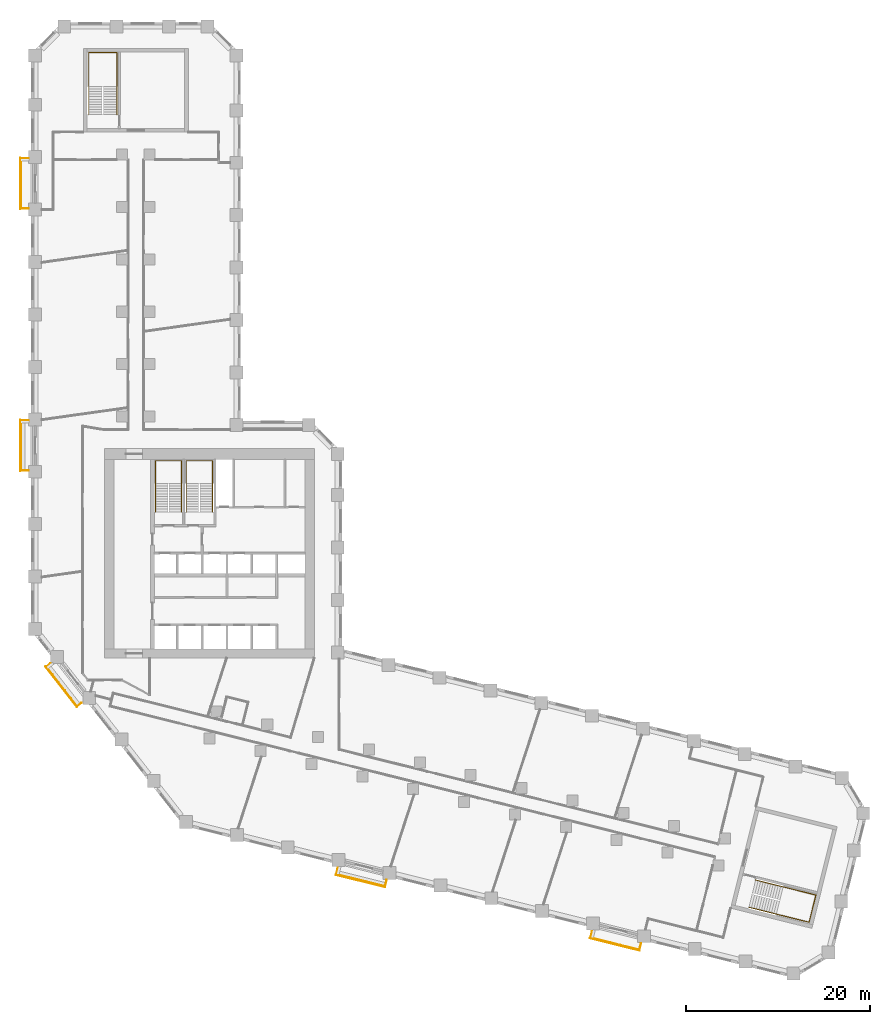
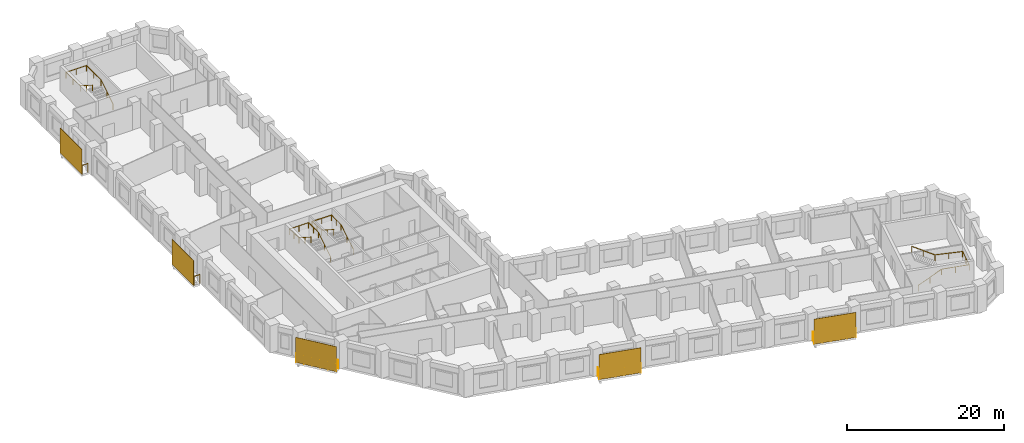
# One storey, part 12 of 12: 9 railings, 5 shading devices.
"""IFC4 building model written with IfcOpenShell, lengths in metres."""

from ifc_helpers import new_model, si_unit, direction, frame, origin, origin_2d, place, context, subcontext, project, spatial, rectangle, circle, extrude, material, layer, layer_set, type_object, element, save


model = new_model("IFC4")

# Units and contexts
model_context = context("Model", 3, precision=1e-05, world=origin(), true_north=direction((0.0, 1.0)))
body_context = subcontext(model_context, "Body", "Model", "MODEL_VIEW")
ifc_project = project(units=[si_unit("LENGTHUNIT", "METRE"), si_unit("AREAUNIT", "SQUARE_METRE"), si_unit("VOLUMEUNIT", "CUBIC_METRE"), si_unit("PLANEANGLEUNIT", "RADIAN"), si_unit("MASSUNIT", "GRAM", prefix="KILO")], contexts=[model_context])

# Site, building, storey
site_placement = place(None, origin())
site = spatial("IfcSite", under=ifc_project, at=site_placement, CompositionType="ELEMENT")
building_placement = place(site_placement, origin())
building = spatial("IfcBuilding", under=site, at=building_placement, Name="Meshkara Civic Tower", CompositionType="ELEMENT")
storey_placement = place(building_placement, frame((0.0, 0.0, 58.199951171875)))
storey = spatial("IfcBuildingStorey", under=building, at=storey_placement, Name="L12", CompositionType="ELEMENT", Elevation=58.199951171875)

# Railings
ifc_material_1 = material(Name="Steel S355", Category="steel")
railing_type_1 = type_object("IfcRailingType", Name="BALUSTRADE GUARD 1400", PredefinedType="BALUSTRADE", material=ifc_material_1)
for number, where, name in (
    (1, (-0.25, 68.43505859375, 0.0), "Balcony guard"),
    (2, (-0.25, 39.93505859375, 0.0), "Balcony guard"),
):
    element("IfcRailing", number, at=place(storey_placement, frame(where)), inside=storey, type_object=railing_type_1, Name=name, PredefinedType="BALUSTRADE", context=body_context, shape_type="SweptSolid", body=[
        extrude(circle(Radius=0.02392578125, at=origin_2d()), frame((0.0, 0.0, 1.3759765625), z_axis=(-1.0, 0.0, 0.0), x_axis=(0.0, -1.0, 0.0)), (0.0, 0.0, 1.0), 0.860107421875),
        extrude(circle(Radius=0.02392578125, at=origin_2d()), frame((-0.860107421875, 0.0, 1.3759765625), z_axis=(0.0, -1.0, 0.0), x_axis=(1.0, 0.0, 0.0)), (0.0, 0.0, 1.0), 5.4599609375),
        extrude(circle(Radius=0.02392578125, at=origin_2d()), frame((-0.860107421875, -5.4599609375, 1.3759765625), z_axis=(1.0, 0.0, 0.0), x_axis=(0.0, 1.0, 0.0)), (0.0, 0.0, 1.0), 0.860107421875),
        extrude(circle(Radius=0.02099609375, at=origin_2d()), origin(), (0.0, 0.0, 1.0), 1.351806640625),
        extrude(circle(Radius=0.02099609375, at=origin_2d()), frame((-0.860107421875, 0.0, 0.0)), (0.0, 0.0, 1.0), 1.351806640625),
        extrude(circle(Radius=0.02099609375, at=origin_2d()), frame((-0.860107421875, -1.092041015625, 0.0)), (0.0, 0.0, 1.0), 1.351806640625),
        extrude(circle(Radius=0.02099609375, at=origin_2d()), frame((-0.860107421875, -2.18408203125, 0.0)), (0.0, 0.0, 1.0), 1.351806640625),
        extrude(circle(Radius=0.02099609375, at=origin_2d()), frame((-0.860107421875, -3.27587890625, 0.0)), (0.0, 0.0, 1.0), 1.351806640625),
        extrude(circle(Radius=0.02099609375, at=origin_2d()), frame((-0.860107421875, -4.367919921875, 0.0)), (0.0, 0.0, 1.0), 1.351806640625),
        extrude(circle(Radius=0.02099609375, at=origin_2d()), frame((-0.860107421875, -5.4599609375, 0.0)), (0.0, 0.0, 1.0), 1.351806640625),
        extrude(circle(Radius=0.02099609375, at=origin_2d()), frame((0.0, -5.4599609375, 0.0)), (0.0, 0.0, 1.0), 1.351806640625),
    ])
railing_1_placement = place(storey_placement, frame((2.114013671875, 13.530029296875, 0.0)))
element("IfcRailing", 3, at=railing_1_placement, inside=storey, type_object=railing_type_1, Name="Balcony guard", PredefinedType="BALUSTRADE", context=body_context, shape_type="SweptSolid", body=[
    extrude(circle(Radius=0.02392578125, at=origin_2d()), frame((0.0, 0.0, 1.3759765625), z_axis=(-0.787665480528, -0.616103149469, 0.0), x_axis=(0.616103149469, -0.787665480528, 0.0)), (0.0, 0.0, 1.0), 0.57763671875),
    extrude(circle(Radius=0.02392578125, at=origin_2d()), frame((-0.455078125, -0.35595703125, 1.3759765625), z_axis=(0.615573755741, -0.788079279795, 0.0), x_axis=(0.788079279795, 0.615573755741, 0.0)), (0.0, 0.0, 1.0), 5.460205078125),
    extrude(circle(Radius=0.02392578125, at=origin_2d()), frame((2.906005859375, -4.658935546875, 1.3759765625), z_axis=(0.787665480528, 0.616103149469, 0.0), x_axis=(-0.616103149469, 0.787665480528, 0.0)), (0.0, 0.0, 1.0), 0.57763671875),
    extrude(circle(Radius=0.02099609375, at=origin_2d()), origin(), (0.0, 0.0, 1.0), 1.351806640625),
    extrude(circle(Radius=0.02099609375, at=origin_2d()), frame((-0.455078125, -0.35595703125, 0.0)), (0.0, 0.0, 1.0), 1.351806640625),
    extrude(circle(Radius=0.02099609375, at=origin_2d()), frame((0.217041015625, -1.216552734375, 0.0)), (0.0, 0.0, 1.0), 1.351806640625),
    extrude(circle(Radius=0.02099609375, at=origin_2d()), frame((0.889404296875, -2.0771484375, 0.0)), (0.0, 0.0, 1.0), 1.351806640625),
    extrude(circle(Radius=0.02099609375, at=origin_2d()), frame((1.5615234375, -2.937744140625, 0.0)), (0.0, 0.0, 1.0), 1.351806640625),
    extrude(circle(Radius=0.02099609375, at=origin_2d()), frame((2.23388671875, -3.79833984375, 0.0)), (0.0, 0.0, 1.0), 1.351806640625),
    extrude(circle(Radius=0.02099609375, at=origin_2d()), frame((2.906005859375, -4.658935546875, 0.0)), (0.0, 0.0, 1.0), 1.351806640625),
    extrude(circle(Radius=0.02099609375, at=origin_2d()), frame((3.361083984375, -4.302978515625, 0.0)), (0.0, 0.0, 1.0), 1.351806640625),
])
railing_2_placement = place(storey_placement, frame((33.35400390625, -8.72705078125, 0.0)))
element("IfcRailing", 4, at=railing_2_placement, inside=storey, type_object=railing_type_1, Name="Balcony guard", PredefinedType="BALUSTRADE", context=body_context, shape_type="SweptSolid", body=[
    extrude(circle(Radius=0.02392578125, at=origin_2d()), frame((0.0, 0.0, 1.3759765625), z_axis=(-0.242050887106, -0.970263555974, 0.0), x_axis=(0.970263555974, -0.242050887106, 0.0)), (0.0, 0.0, 1.0), 0.711181640625),
    extrude(circle(Radius=0.02392578125, at=origin_2d()), frame((-0.172119140625, -0.68994140625, 1.3759765625), z_axis=(0.970292231073, -0.24193591366, 0.0), x_axis=(0.24193591366, 0.970292231073, 0.0)), (0.0, 0.0, 1.0), 5.460205078125),
    extrude(circle(Radius=0.02392578125, at=origin_2d()), frame((5.1259765625, -2.010986328125, 1.3759765625), z_axis=(0.242050887106, 0.970263555974, 0.0), x_axis=(-0.970263555974, 0.242050887106, 0.0)), (0.0, 0.0, 1.0), 0.711181640625),
    extrude(circle(Radius=0.02099609375, at=origin_2d()), origin(), (0.0, 0.0, 1.0), 1.351806640625),
    extrude(circle(Radius=0.02099609375, at=origin_2d()), frame((-0.172119140625, -0.68994140625, 0.0)), (0.0, 0.0, 1.0), 1.351806640625),
    extrude(circle(Radius=0.02099609375, at=origin_2d()), frame((0.887451171875, -0.9541015625, 0.0)), (0.0, 0.0, 1.0), 1.351806640625),
    extrude(circle(Radius=0.02099609375, at=origin_2d()), frame((1.947021484375, -1.21826171875, 0.0)), (0.0, 0.0, 1.0), 1.351806640625),
    extrude(circle(Radius=0.02099609375, at=origin_2d()), frame((3.0068359375, -1.482666015625, 0.0)), (0.0, 0.0, 1.0), 1.351806640625),
    extrude(circle(Radius=0.02099609375, at=origin_2d()), frame((4.06640625, -1.746826171875, 0.0)), (0.0, 0.0, 1.0), 1.351806640625),
    extrude(circle(Radius=0.02099609375, at=origin_2d()), frame((5.1259765625, -2.010986328125, 0.0)), (0.0, 0.0, 1.0), 1.351806640625),
    extrude(circle(Radius=0.02099609375, at=origin_2d()), frame((5.298095703125, -1.321044921875, 0.0)), (0.0, 0.0, 1.0), 1.351806640625),
])
railing_3_placement = place(storey_placement, frame((61.008056640625, -15.6220703125, 0.0)))
element("IfcRailing", 5, at=railing_3_placement, inside=storey, type_object=railing_type_1, Name="Balcony guard", PredefinedType="BALUSTRADE", context=body_context, shape_type="SweptSolid", body=[
    extrude(circle(Radius=0.02392578125, at=origin_2d()), frame((0.0, 0.0, 1.3759765625), z_axis=(-0.242050887106, -0.970263555974, 0.0), x_axis=(0.970263555974, -0.242050887106, 0.0)), (0.0, 0.0, 1.0), 0.711181640625),
    extrude(circle(Radius=0.02392578125, at=origin_2d()), frame((-0.172119140625, -0.68994140625, 1.3759765625), z_axis=(0.970281759871, -0.241977904902, 0.0), x_axis=(0.241977904902, 0.970281759871, 0.0)), (0.0, 0.0, 1.0), 5.45947265625),
    extrude(circle(Radius=0.02392578125, at=origin_2d()), frame((5.125, -2.010986328125, 1.3759765625), z_axis=(0.241325582248, 0.970444209294, 0.0), x_axis=(-0.970444209294, 0.241325582248, 0.0)), (0.0, 0.0, 1.0), 0.712158203125),
    extrude(circle(Radius=0.02099609375, at=origin_2d()), origin(), (0.0, 0.0, 1.0), 1.351806640625),
    extrude(circle(Radius=0.02099609375, at=origin_2d()), frame((-0.172119140625, -0.68994140625, 0.0)), (0.0, 0.0, 1.0), 1.351806640625),
    extrude(circle(Radius=0.02099609375, at=origin_2d()), frame((0.88720703125, -0.9541015625, 0.0)), (0.0, 0.0, 1.0), 1.351806640625),
    extrude(circle(Radius=0.02099609375, at=origin_2d()), frame((1.94677734375, -1.21826171875, 0.0)), (0.0, 0.0, 1.0), 1.351806640625),
    extrude(circle(Radius=0.02099609375, at=origin_2d()), frame((3.006103515625, -1.482666015625, 0.0)), (0.0, 0.0, 1.0), 1.351806640625),
    extrude(circle(Radius=0.02099609375, at=origin_2d()), frame((4.065673828125, -1.746826171875, 0.0)), (0.0, 0.0, 1.0), 1.351806640625),
    extrude(circle(Radius=0.02099609375, at=origin_2d()), frame((5.125, -2.010986328125, 0.0)), (0.0, 0.0, 1.0), 1.351806640625),
    extrude(circle(Radius=0.02099609375, at=origin_2d()), frame((5.296875, -1.31982421875, 0.0)), (0.0, 0.0, 1.0), 1.351806640625),
])

# Shading devices
ifc_material_2 = material(Name="Perforated bronze anodised aluminium sheet", Category="aluminium")
ifc_layer = layer(ifc_material_2, 0.0400390625)
ifc_layer_set = layer_set([ifc_layer], Name="PERFORATED BRONZE SCREEN")
shading_device_type = type_object("IfcShadingDeviceType", Name="PERFORATED BRONZE SCREEN", PredefinedType="USERDEFINED", material=ifc_layer_set)
for number, where, z_axis, x_axis, name in (
    (6, (-1.179931640625, 65.705078125, 0.0), (0.0, 0.0, 1.0), (0.0, -1.0, 0.0), "Balcony screen"),
    (7, (-1.179931640625, 37.205078125, 0.0), (0.0, 0.0, 1.0), (0.0, -1.0, 0.0), "Balcony screen"),
    (8, (3.283935546875, 10.97998046875, 0.0), (0.0, 0.0, 1.0), (0.615661475326, -0.788010753607, 0.0), "Balcony screen"),
    (9, (35.81396484375, -10.14599609375, 0.0), (0.0, 0.0, 1.0), (0.970295726276, -0.2419218956, 0.0), "Balcony screen"),
):
    element("IfcShadingDevice", number, at=place(storey_placement, frame(where, z_axis=z_axis, x_axis=x_axis)), inside=storey, type_object=shading_device_type, Name=name, ObjectType="SCREEN", PredefinedType="USERDEFINED", context=body_context, shape_type="SweptSolid", body=[
        extrude(rectangle(XDim=5.580078125, YDim=0.0400390625, at=origin_2d()), origin(), (0.0, 0.0, 1.0), 3.89990234375),
    ])
shading_device_placement = place(storey_placement, frame((63.468017578125, -17.0400390625, 0.0), z_axis=(0.0, 0.0, 1.0), x_axis=(0.970295726276, -0.2419218956, 0.0)))
element("IfcShadingDevice", 10, at=shading_device_placement, inside=storey, type_object=shading_device_type, Name="Balcony screen", ObjectType="SCREEN", PredefinedType="USERDEFINED", context=body_context, shape_type="SweptSolid", body=[
    extrude(rectangle(XDim=5.5791015625, YDim=0.0400390625, at=origin_2d()), origin(), (0.0, 0.0, 1.0), 3.89990234375),
])

# Railings
ifc_material_3 = material(Name="Steel handrail", Category="steel")
railing_type_2 = type_object("IfcRailingType", Name="Stair handrail 900", PredefinedType="HANDRAIL", material=ifc_material_3)
railing_4_placement = place(storey_placement, frame((16.375, 30.0, 0.175048828125)))
element("IfcRailing", 11, at=railing_4_placement, inside=storey, type_object=railing_type_2, Name="L12 ST1 stair handrail 1", PredefinedType="HANDRAIL", context=body_context, shape_type="SweptSolid", body=[
    extrude(circle(Radius=0.02392578125, at=origin_2d()), frame((0.0, 0.0, 0.8759765625), z_axis=(0.0, 0.847998304005, 0.529998940003), x_axis=(-1.0, 0.0, 0.0)), (0.0, 0.0, 1.0), 3.632080078125),
    extrude(circle(Radius=0.02392578125, at=origin_2d()), frame((0.0, 3.080078125, 2.80078125), z_axis=(0.0, 1.0, 0.0), x_axis=(-1.0, 0.0, 0.0)), (0.0, 0.0, 1.0), 2.469970703125),
    extrude(circle(Radius=0.02392578125, at=origin_2d()), frame((0.0, 5.550048828125, 2.80078125), z_axis=(-1.0, 0.0, 0.0), x_axis=(0.0, -1.0, 0.0)), (0.0, 0.0, 1.0), 2.85009765625),
    extrude(circle(Radius=0.02392578125, at=origin_2d()), frame((-2.85009765625, 5.550048828125, 2.80078125), z_axis=(0.0, -0.997498084828, 0.070693498747), x_axis=(1.0, 0.0, 0.0)), (0.0, 0.0, 1.0), 2.47607421875),
    extrude(circle(Radius=0.02392578125, at=origin_2d()), frame((-2.85009765625, 3.080078125, 2.97607421875), z_axis=(0.0, -0.848028513186, 0.529950602248), x_axis=(1.0, 0.0, 0.0)), (0.0, 0.0, 1.0), 3.632080078125),
    extrude(circle(Radius=0.02099609375, at=origin_2d()), origin(), (0.0, 0.0, 1.0), 0.851806640625),
    extrude(circle(Radius=0.02099609375, at=origin_2d()), frame((0.0, 1.5400390625, 0.96240234375)), (0.0, 0.0, 1.0), 0.851806640625),
    extrude(circle(Radius=0.02099609375, at=origin_2d()), frame((0.0, 3.080078125, 1.925048828125)), (0.0, 0.0, 1.0), 0.851806640625),
    extrude(circle(Radius=0.02099609375, at=origin_2d()), frame((0.0, 4.31494140625, 1.925048828125)), (0.0, 0.0, 1.0), 0.851806640625),
    extrude(circle(Radius=0.02099609375, at=origin_2d()), frame((0.0, 5.550048828125, 1.925048828125)), (0.0, 0.0, 1.0), 0.851806640625),
    extrude(circle(Radius=0.02099609375, at=origin_2d()), frame((-1.425048828125, 5.550048828125, 1.925048828125)), (0.0, 0.0, 1.0), 0.851806640625),
    extrude(circle(Radius=0.02099609375, at=origin_2d()), frame((-2.85009765625, 5.550048828125, 1.925048828125)), (0.0, 0.0, 1.0), 0.851806640625),
    extrude(circle(Radius=0.02099609375, at=origin_2d()), frame((-2.85009765625, 4.31494140625, 2.0126953125)), (0.0, 0.0, 1.0), 0.851806640625),
    extrude(circle(Radius=0.02099609375, at=origin_2d()), frame((-2.85009765625, 3.080078125, 2.10009765625)), (0.0, 0.0, 1.0), 0.851806640625),
    extrude(circle(Radius=0.02099609375, at=origin_2d()), frame((-2.85009765625, 1.5400390625, 3.0625)), (0.0, 0.0, 1.0), 0.851806640625),
    extrude(circle(Radius=0.02099609375, at=origin_2d()), frame((-2.85009765625, 0.0, 4.02490234375)), (0.0, 0.0, 1.0), 0.851806640625),
])
railing_5_placement = place(storey_placement, frame((19.72509765625, 30.0, 0.175048828125)))
element("IfcRailing", 12, at=railing_5_placement, inside=storey, type_object=railing_type_2, Name="L12 ST2 stair handrail 1", PredefinedType="HANDRAIL", context=body_context, shape_type="SweptSolid", body=[
    extrude(circle(Radius=0.02392578125, at=origin_2d()), frame((0.0, 0.0, 0.8759765625), z_axis=(0.0, 0.847998304005, 0.529998940003), x_axis=(-1.0, 0.0, 0.0)), (0.0, 0.0, 1.0), 3.632080078125),
    extrude(circle(Radius=0.02392578125, at=origin_2d()), frame((0.0, 3.080078125, 2.80078125), z_axis=(0.0, 1.0, 0.0), x_axis=(-1.0, 0.0, 0.0)), (0.0, 0.0, 1.0), 2.469970703125),
    extrude(circle(Radius=0.02392578125, at=origin_2d()), frame((0.0, 5.550048828125, 2.80078125), z_axis=(-1.0, 0.0, 0.0), x_axis=(0.0, -1.0, 0.0)), (0.0, 0.0, 1.0), 2.85009765625),
    extrude(circle(Radius=0.02392578125, at=origin_2d()), frame((-2.85009765625, 5.550048828125, 2.80078125), z_axis=(0.0, -0.997498084828, 0.070693498747), x_axis=(1.0, 0.0, 0.0)), (0.0, 0.0, 1.0), 2.47607421875),
    extrude(circle(Radius=0.02392578125, at=origin_2d()), frame((-2.85009765625, 3.080078125, 2.97607421875), z_axis=(0.0, -0.848028513186, 0.529950602248), x_axis=(1.0, 0.0, 0.0)), (0.0, 0.0, 1.0), 3.632080078125),
    extrude(circle(Radius=0.02099609375, at=origin_2d()), origin(), (0.0, 0.0, 1.0), 0.851806640625),
    extrude(circle(Radius=0.02099609375, at=origin_2d()), frame((0.0, 1.5400390625, 0.96240234375)), (0.0, 0.0, 1.0), 0.851806640625),
    extrude(circle(Radius=0.02099609375, at=origin_2d()), frame((0.0, 3.080078125, 1.925048828125)), (0.0, 0.0, 1.0), 0.851806640625),
    extrude(circle(Radius=0.02099609375, at=origin_2d()), frame((0.0, 4.31494140625, 1.925048828125)), (0.0, 0.0, 1.0), 0.851806640625),
    extrude(circle(Radius=0.02099609375, at=origin_2d()), frame((0.0, 5.550048828125, 1.925048828125)), (0.0, 0.0, 1.0), 0.851806640625),
    extrude(circle(Radius=0.02099609375, at=origin_2d()), frame((-1.425048828125, 5.550048828125, 1.925048828125)), (0.0, 0.0, 1.0), 0.851806640625),
    extrude(circle(Radius=0.02099609375, at=origin_2d()), frame((-2.85009765625, 5.550048828125, 1.925048828125)), (0.0, 0.0, 1.0), 0.851806640625),
    extrude(circle(Radius=0.02099609375, at=origin_2d()), frame((-2.85009765625, 4.31494140625, 2.0126953125)), (0.0, 0.0, 1.0), 0.851806640625),
    extrude(circle(Radius=0.02099609375, at=origin_2d()), frame((-2.85009765625, 3.080078125, 2.10009765625)), (0.0, 0.0, 1.0), 0.851806640625),
    extrude(circle(Radius=0.02099609375, at=origin_2d()), frame((-2.85009765625, 1.5400390625, 3.0625)), (0.0, 0.0, 1.0), 0.851806640625),
    extrude(circle(Radius=0.02099609375, at=origin_2d()), frame((-2.85009765625, 0.0, 4.02490234375)), (0.0, 0.0, 1.0), 0.851806640625),
])
railing_6_placement = place(storey_placement, frame((9.324951171875, 73.169921875, 0.175048828125)))
element("IfcRailing", 13, at=railing_6_placement, inside=storey, type_object=railing_type_2, Name="L12 ESA1 stair handrail 1", PredefinedType="HANDRAIL", context=body_context, shape_type="SweptSolid", body=[
    extrude(circle(Radius=0.02392578125, at=origin_2d()), frame((0.0, 0.0, 0.8759765625), z_axis=(0.0, 0.847998304005, 0.529998940003), x_axis=(-1.0, 0.0, 0.0)), (0.0, 0.0, 1.0), 3.632080078125),
    extrude(circle(Radius=0.02392578125, at=origin_2d()), frame((0.0, 3.080078125, 2.80078125), z_axis=(0.0, 1.0, 0.0), x_axis=(-1.0, 0.0, 0.0)), (0.0, 0.0, 1.0), 3.669921875),
    extrude(circle(Radius=0.02392578125, at=origin_2d()), frame((0.0, 6.75, 2.80078125), z_axis=(-1.0, 0.0, 0.0), x_axis=(0.0, -1.0, 0.0)), (0.0, 0.0, 1.0), 3.050048828125),
    extrude(circle(Radius=0.02392578125, at=origin_2d()), frame((-3.050048828125, 6.75, 2.80078125), z_axis=(0.0, -0.998864376167, 0.047644076484), x_axis=(1.0, 0.0, 0.0)), (0.0, 0.0, 1.0), 3.674072265625),
    extrude(circle(Radius=0.02392578125, at=origin_2d()), frame((-3.050048828125, 3.080078125, 2.97607421875), z_axis=(0.0, -0.848028513186, 0.529950602248), x_axis=(1.0, 0.0, 0.0)), (0.0, 0.0, 1.0), 3.632080078125),
    extrude(circle(Radius=0.02099609375, at=origin_2d()), origin(), (0.0, 0.0, 1.0), 0.851806640625),
    extrude(circle(Radius=0.02099609375, at=origin_2d()), frame((0.0, 1.5400390625, 0.96240234375)), (0.0, 0.0, 1.0), 0.851806640625),
    extrude(circle(Radius=0.02099609375, at=origin_2d()), frame((0.0, 3.080078125, 1.925048828125)), (0.0, 0.0, 1.0), 0.851806640625),
    extrude(circle(Radius=0.02099609375, at=origin_2d()), frame((0.0, 4.9150390625, 1.925048828125)), (0.0, 0.0, 1.0), 0.851806640625),
    extrude(circle(Radius=0.02099609375, at=origin_2d()), frame((0.0, 6.75, 1.925048828125)), (0.0, 0.0, 1.0), 0.851806640625),
    extrude(circle(Radius=0.02099609375, at=origin_2d()), frame((-1.52490234375, 6.75, 1.925048828125)), (0.0, 0.0, 1.0), 0.851806640625),
    extrude(circle(Radius=0.02099609375, at=origin_2d()), frame((-3.050048828125, 6.75, 1.925048828125)), (0.0, 0.0, 1.0), 0.851806640625),
    extrude(circle(Radius=0.02099609375, at=origin_2d()), frame((-3.050048828125, 4.9150390625, 2.0126953125)), (0.0, 0.0, 1.0), 0.851806640625),
    extrude(circle(Radius=0.02099609375, at=origin_2d()), frame((-3.050048828125, 3.080078125, 2.10009765625)), (0.0, 0.0, 1.0), 0.851806640625),
    extrude(circle(Radius=0.02099609375, at=origin_2d()), frame((-3.050048828125, 1.5400390625, 3.0625)), (0.0, 0.0, 1.0), 0.851806640625),
    extrude(circle(Radius=0.02099609375, at=origin_2d()), frame((-3.050048828125, 0.0, 4.02490234375)), (0.0, 0.0, 1.0), 0.851806640625),
])
railing_7_placement = place(storey_placement, frame((78.045166015625, -12.99169921875, 0.175048828125)))
element("IfcRailing", 14, at=railing_7_placement, inside=storey, type_object=railing_type_2, Name="L12 ESB1 stair handrail 1", PredefinedType="HANDRAIL", context=body_context, shape_type="SweptSolid", body=[
    extrude(circle(Radius=0.02392578125, at=origin_2d()), frame((0.0, 0.0, 0.8759765625), z_axis=(0.822781968105, -0.205275396666, 0.529992306062), x_axis=(0.242069343812, 0.970258951408, 0.0)), (0.0, 0.0, 1.0), 3.63232421875),
    extrude(circle(Radius=0.02392578125, at=origin_2d()), frame((2.988525390625, -0.74560546875, 2.80078125), z_axis=(0.970255876456, -0.242081668456, 0.0), x_axis=(0.242081668456, 0.970255876456, 0.0)), (0.0, 0.0, 1.0), 3.669921875),
    extrude(circle(Radius=0.02392578125, at=origin_2d()), frame((6.54931640625, -1.634033203125, 2.80078125), z_axis=(0.242064726708, 0.970260103315, 0.0), x_axis=(-0.970260103315, 0.242064726708, 0.0)), (0.0, 0.0, 1.0), 3.050048828125),
    extrude(circle(Radius=0.02392578125, at=origin_2d()), frame((7.28759765625, 1.3251953125, 2.80078125), z_axis=(-0.969154047904, 0.241806759021, 0.047643706023), x_axis=(-0.242081668456, -0.970255876456, 0.0)), (0.0, 0.0, 1.0), 3.674072265625),
    extrude(circle(Radius=0.02392578125, at=origin_2d()), frame((3.726806640625, 2.213623046875, 2.97607421875), z_axis=(-0.822811278243, 0.205282709236, 0.529943968439), x_axis=(-0.242069343812, -0.970258951408, 0.0)), (0.0, 0.0, 1.0), 3.632080078125),
    extrude(circle(Radius=0.02099609375, at=origin_2d()), origin(), (0.0, 0.0, 1.0), 0.851806640625),
    extrude(circle(Radius=0.02099609375, at=origin_2d()), frame((1.494140625, -0.372802734375, 0.96240234375)), (0.0, 0.0, 1.0), 0.851806640625),
    extrude(circle(Radius=0.02099609375, at=origin_2d()), frame((2.988525390625, -0.74560546875, 1.925048828125)), (0.0, 0.0, 1.0), 0.851806640625),
    extrude(circle(Radius=0.02099609375, at=origin_2d()), frame((4.76904296875, -1.18994140625, 1.925048828125)), (0.0, 0.0, 1.0), 0.851806640625),
    extrude(circle(Radius=0.02099609375, at=origin_2d()), frame((6.54931640625, -1.634033203125, 1.925048828125)), (0.0, 0.0, 1.0), 0.851806640625),
    extrude(circle(Radius=0.02099609375, at=origin_2d()), frame((6.91845703125, -0.154296875, 1.925048828125)), (0.0, 0.0, 1.0), 0.851806640625),
    extrude(circle(Radius=0.02099609375, at=origin_2d()), frame((7.28759765625, 1.3251953125, 1.925048828125)), (0.0, 0.0, 1.0), 0.851806640625),
    extrude(circle(Radius=0.02099609375, at=origin_2d()), frame((5.50732421875, 1.76953125, 2.0126953125)), (0.0, 0.0, 1.0), 0.851806640625),
    extrude(circle(Radius=0.02099609375, at=origin_2d()), frame((3.726806640625, 2.213623046875, 2.10009765625)), (0.0, 0.0, 1.0), 0.851806640625),
    extrude(circle(Radius=0.02099609375, at=origin_2d()), frame((2.232421875, 2.58642578125, 3.0625)), (0.0, 0.0, 1.0), 0.851806640625),
    extrude(circle(Radius=0.02099609375, at=origin_2d()), frame((0.73828125, 2.959228515625, 4.02490234375)), (0.0, 0.0, 1.0), 0.851806640625),
])

save(model, "model.ifc")
